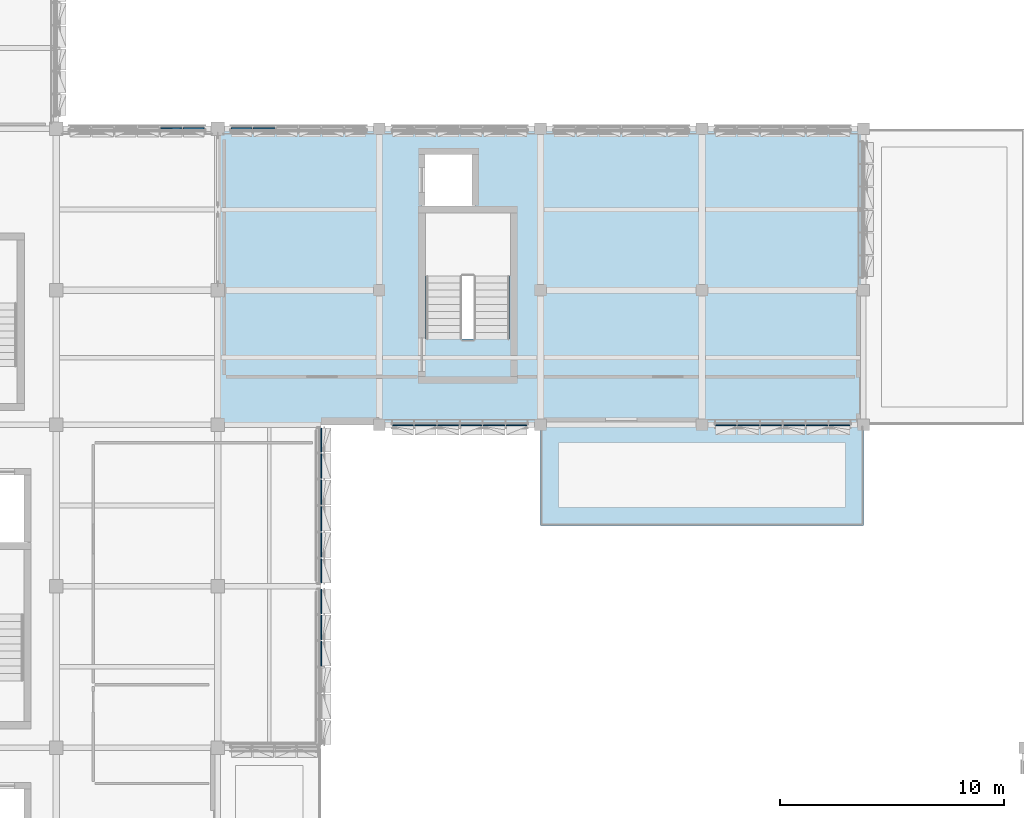
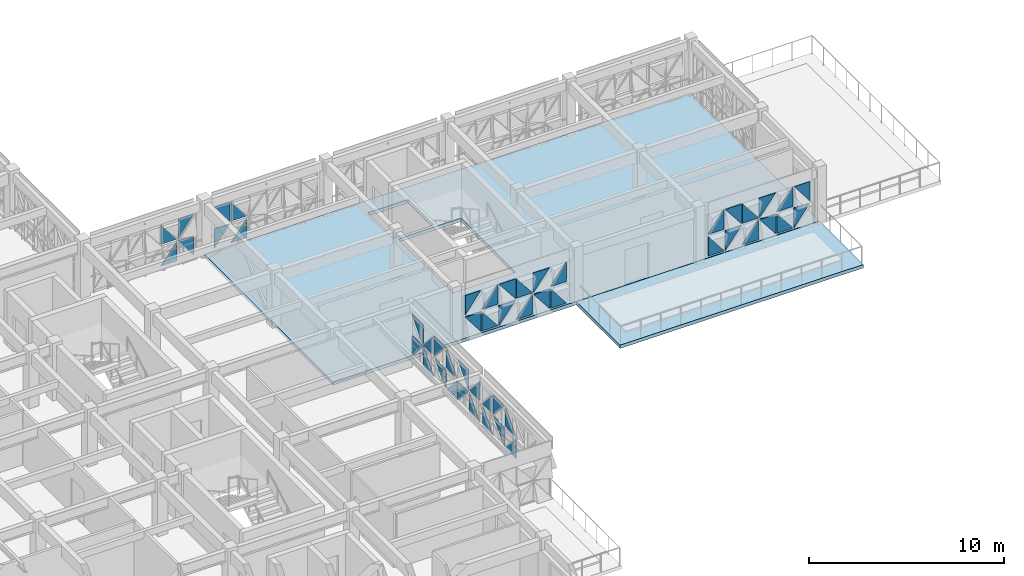
# One storey, part 28 of 74: 50 plates, 2 slabs, 6 elements without a shape of their own.
"""IFC4 building model written with IfcOpenShell, lengths in metres."""

from ifc_helpers import new_model, si_unit, direction, frame, origin, place, context, subcontext, project, spatial, polyline, outline, extrude, material, layer, layer_set, type_object, element, aggregate, save


model = new_model("IFC4")

# Units and contexts
model_context = context("Model", 3, precision=1e-05, world=origin(), true_north=direction((0.0, 1.0)))
body_context = subcontext(model_context, "Body", "Model", "MODEL_VIEW")
ifc_project = project(units=[si_unit("LENGTHUNIT", "METRE"), si_unit("AREAUNIT", "SQUARE_METRE"), si_unit("VOLUMEUNIT", "CUBIC_METRE"), si_unit("PLANEANGLEUNIT", "RADIAN"), si_unit("MASSUNIT", "GRAM", prefix="KILO")], contexts=[model_context])

# Site, building, storey
site_placement = place(None, origin())
site = spatial("IfcSite", under=ifc_project, at=site_placement, CompositionType="ELEMENT")
building_placement = place(site_placement, origin())
building = spatial("IfcBuilding", under=site, at=building_placement, Name="Alvorim Cloister Faculty of Sciences", CompositionType="ELEMENT")
storey_placement = place(building_placement, frame((0.0, 0.0, 15.75)))
storey = spatial("IfcBuildingStorey", under=building, at=storey_placement, Name="L04", CompositionType="ELEMENT", Elevation=15.75)

# Curtain wall, plates
ifc_material_1 = material(Name="Aluminium and Low-E Glass Curtain Wall", Category="aluminium")
curtain_wall_type_1 = type_object("IfcCurtainWallType", Name="CW-TRI-6120x2850", PredefinedType="USERDEFINED", material=ifc_material_1)
curtain_wall_1_placement = place(storey_placement, origin())
curtain_wall_1 = element("IfcCurtainWall", 1, at=curtain_wall_1_placement, inside=storey, type_object=curtain_wall_type_1, Name="L04 Diagonal Cassette Curtain Wall CW-0189", ObjectType="UNITISED CURTAIN WALL", PredefinedType="USERDEFINED")
ifc_material_2 = material(Name="Double Low-E Laminated Glass", Category="glass")
ifc_layer_1 = layer(ifc_material_2, 0.0400390625)
ifc_layer_set_1 = layer_set([ifc_layer_1], Name="Double Low-E Laminated Glass")
plate_type = type_object("IfcPlateType", Name="PN-GLZ-40", PredefinedType="CURTAIN_PANEL", material=ifc_layer_set_1)
plate_1_placement = place(storey_placement, frame((26.25244140625, 56.425048828125, 0.139892578125), z_axis=(0.0, 0.0, 1.0), x_axis=(1.0, 0.0, 0.0)))
plate_1 = element("IfcPlate", 2, at=plate_1_placement, type_object=plate_type, Name="Diagonal Glazed Triangle TRI-BR", PredefinedType="CURTAIN_PANEL", context=body_context, shape_type="SweptSolid", body=[
    extrude(outline(polyline([(0.001953125, 0.0), (0.955078125, 0.0), (0.955078125, 1.213134765625), (0.001953125, 0.0)])), frame((0.0, 0.02490234375, 0.0), z_axis=(0.0, -1.0, 0.0), x_axis=(1.0, 0.0, 0.0)), (0.0, 0.0, 1.0), 0.050048828125),
])
plate_2_placement = place(storey_placement, frame((26.25244140625, 56.425048828125, 1.4951171875), z_axis=(0.0, 0.0, 1.0), x_axis=(1.0, 0.0, 0.0)))
plate_2 = element("IfcPlate", 3, at=plate_2_placement, type_object=plate_type, Name="Diagonal Glazed Triangle TRI-BL", PredefinedType="CURTAIN_PANEL", context=body_context, shape_type="SweptSolid", body=[
    extrude(outline(polyline([(0.0, 0.0), (0.953125, 0.0), (0.0, 1.212890625), (0.0, 0.0)])), frame((0.0, 0.02490234375, 0.0), z_axis=(0.0, -1.0, 0.0), x_axis=(1.0, 0.0, 0.0)), (0.0, 0.0, 1.0), 0.050048828125),
])
plate_3_placement = place(storey_placement, frame((27.2724609375, 56.425048828125, 0.139892578125), z_axis=(0.0, 0.0, 1.0), x_axis=(1.0, 0.0, 0.0)))
plate_3 = element("IfcPlate", 4, at=plate_3_placement, type_object=plate_type, Name="Diagonal Glazed Triangle TRI-TR", PredefinedType="CURTAIN_PANEL", context=body_context, shape_type="SweptSolid", body=[
    extrude(outline(polyline([(0.922607421875, 0.001953125), (0.922607421875, 1.215087890625), (0.001953125, 1.215087890625), (0.922607421875, 0.001953125)])), frame((0.0, 0.02490234375, 0.0), z_axis=(0.0, -1.0, 0.0), x_axis=(1.0, 0.0, 0.0)), (0.0, 0.0, 1.0), 0.050048828125),
])
plate_4_placement = place(storey_placement, frame((27.2724609375, 56.425048828125, 1.4951171875), z_axis=(0.0, 0.0, 1.0), x_axis=(1.0, 0.0, 0.0)))
plate_4 = element("IfcPlate", 5, at=plate_4_placement, type_object=plate_type, Name="Diagonal Glazed Triangle TRI-TL", PredefinedType="CURTAIN_PANEL", context=body_context, shape_type="SweptSolid", body=[
    extrude(outline(polyline([(0.920654296875, 1.21484375), (0.0, 1.21484375), (0.0, 0.001953125), (0.920654296875, 1.21484375)])), frame((0.0, 0.02490234375, 0.0), z_axis=(0.0, -1.0, 0.0), x_axis=(1.0, 0.0, 0.0)), (0.0, 0.0, 1.0), 0.050048828125),
])
aggregate(curtain_wall_1, [plate_1, plate_2, plate_3, plate_4])

curtain_wall_2_placement = place(storey_placement, origin())
curtain_wall_2 = element("IfcCurtainWall", 6, at=curtain_wall_2_placement, inside=storey, type_object=curtain_wall_type_1, Name="L04 Diagonal Cassette Curtain Wall CW-0190", ObjectType="UNITISED CURTAIN WALL", PredefinedType="USERDEFINED")
plate_5_placement = place(storey_placement, frame((29.405029296875, 56.425048828125, 0.139892578125), z_axis=(0.0, 0.0, 1.0), x_axis=(1.0, 0.0, 0.0)))
plate_5 = element("IfcPlate", 7, at=plate_5_placement, type_object=plate_type, Name="Diagonal Glazed Triangle TRI-TL", PredefinedType="CURTAIN_PANEL", context=body_context, shape_type="SweptSolid", body=[
    extrude(outline(polyline([(0.920654296875, 1.215087890625), (0.0, 1.215087890625), (0.0, 0.001953125), (0.920654296875, 1.215087890625)])), frame((0.0, 0.02490234375, 0.0), z_axis=(0.0, -1.0, 0.0), x_axis=(1.0, 0.0, 0.0)), (0.0, 0.0, 1.0), 0.050048828125),
])
plate_6_placement = place(storey_placement, frame((29.405029296875, 56.425048828125, 1.4951171875), z_axis=(0.0, 0.0, 1.0), x_axis=(1.0, 0.0, 0.0)))
plate_6 = element("IfcPlate", 8, at=plate_6_placement, type_object=plate_type, Name="Diagonal Glazed Triangle TRI-TR", PredefinedType="CURTAIN_PANEL", context=body_context, shape_type="SweptSolid", body=[
    extrude(outline(polyline([(0.922607421875, 0.001953125), (0.922607421875, 1.21484375), (0.001953125, 1.21484375), (0.922607421875, 0.001953125)])), frame((0.0, 0.02490234375, 0.0), z_axis=(0.0, -1.0, 0.0), x_axis=(1.0, 0.0, 0.0)), (0.0, 0.0, 1.0), 0.050048828125),
])
plate_7_placement = place(storey_placement, frame((30.392578125, 56.425048828125, 0.139892578125), z_axis=(0.0, 0.0, 1.0), x_axis=(1.0, 0.0, 0.0)))
plate_7 = element("IfcPlate", 9, at=plate_7_placement, type_object=plate_type, Name="Diagonal Glazed Triangle TRI-BR", PredefinedType="CURTAIN_PANEL", context=body_context, shape_type="SweptSolid", body=[
    extrude(outline(polyline([(0.001953125, 0.0), (0.955078125, 0.0), (0.955078125, 1.213134765625), (0.001953125, 0.0)])), frame((0.0, 0.02490234375, 0.0), z_axis=(0.0, -1.0, 0.0), x_axis=(1.0, 0.0, 0.0)), (0.0, 0.0, 1.0), 0.050048828125),
])
plate_8_placement = place(storey_placement, frame((30.392578125, 56.425048828125, 1.4951171875), z_axis=(0.0, 0.0, 1.0), x_axis=(1.0, 0.0, 0.0)))
plate_8 = element("IfcPlate", 10, at=plate_8_placement, type_object=plate_type, Name="Diagonal Glazed Triangle TRI-BL", PredefinedType="CURTAIN_PANEL", context=body_context, shape_type="SweptSolid", body=[
    extrude(outline(polyline([(0.0, 0.0), (0.953125, 0.0), (0.0, 1.212890625), (0.0, 0.0)])), frame((0.0, 0.02490234375, 0.0), z_axis=(0.0, -1.0, 0.0), x_axis=(1.0, 0.0, 0.0)), (0.0, 0.0, 1.0), 0.050048828125),
])
aggregate(curtain_wall_2, [plate_5, plate_6, plate_7, plate_8])

curtain_wall_3_placement = place(storey_placement, origin())
curtain_wall_3 = element("IfcCurtainWall", 11, at=curtain_wall_3_placement, inside=storey, type_object=curtain_wall_type_1, Name="L04 Diagonal Cassette Curtain Wall CW-0195", ObjectType="UNITISED CURTAIN WALL", PredefinedType="USERDEFINED")
plate_9_placement = place(storey_placement, frame((51.0048828125, 43.175048828125, 0.139892578125), z_axis=(0.0, 0.0, 1.0), x_axis=(1.0, 0.0, 0.0)))
plate_9 = element("IfcPlate", 12, at=plate_9_placement, type_object=plate_type, Name="Diagonal Glazed Triangle TRI-BL", PredefinedType="CURTAIN_PANEL", context=body_context, shape_type="SweptSolid", body=[
    extrude(outline(polyline([(0.0, 0.0), (0.920654296875, 0.0), (0.0, 1.213134765625), (0.0, 0.0)])), frame((0.0, 0.02490234375, 0.0), z_axis=(0.0, -1.0, 0.0), x_axis=(1.0, 0.0, 0.0)), (0.0, 0.0, 1.0), 0.050048828125),
])
plate_10_placement = place(storey_placement, frame((51.0048828125, 43.175048828125, 1.4951171875), z_axis=(0.0, 0.0, 1.0), x_axis=(1.0, 0.0, 0.0)))
plate_10 = element("IfcPlate", 13, at=plate_10_placement, type_object=plate_type, Name="Diagonal Glazed Triangle TRI-BR", PredefinedType="CURTAIN_PANEL", context=body_context, shape_type="SweptSolid", body=[
    extrude(outline(polyline([(0.001953125, 0.0), (0.922607421875, 0.0), (0.922607421875, 1.212890625), (0.001953125, 0.0)])), frame((0.0, 0.02490234375, 0.0), z_axis=(0.0, -1.0, 0.0), x_axis=(1.0, 0.0, 0.0)), (0.0, 0.0, 1.0), 0.050048828125),
])
plate_11_placement = place(storey_placement, frame((51.992431640625, 43.175048828125, 0.139892578125), z_axis=(0.0, 0.0, 1.0), x_axis=(1.0, 0.0, 0.0)))
plate_11 = element("IfcPlate", 14, at=plate_11_placement, type_object=plate_type, Name="Diagonal Glazed Triangle TRI-TL", PredefinedType="CURTAIN_PANEL", context=body_context, shape_type="SweptSolid", body=[
    extrude(outline(polyline([(0.953125, 1.215087890625), (0.0, 1.215087890625), (0.0, 0.001953125), (0.953125, 1.215087890625)])), frame((0.0, 0.02490234375, 0.0), z_axis=(0.0, -1.0, 0.0), x_axis=(1.0, 0.0, 0.0)), (0.0, 0.0, 1.0), 0.050048828125),
])
plate_12_placement = place(storey_placement, frame((51.992431640625, 43.175048828125, 1.4951171875), z_axis=(0.0, 0.0, 1.0), x_axis=(1.0, 0.0, 0.0)))
plate_12 = element("IfcPlate", 15, at=plate_12_placement, type_object=plate_type, Name="Diagonal Glazed Triangle TRI-TR", PredefinedType="CURTAIN_PANEL", context=body_context, shape_type="SweptSolid", body=[
    extrude(outline(polyline([(0.955078125, 0.001953125), (0.955078125, 1.21484375), (0.001953125, 1.21484375), (0.955078125, 0.001953125)])), frame((0.0, 0.02490234375, 0.0), z_axis=(0.0, -1.0, 0.0), x_axis=(1.0, 0.0, 0.0)), (0.0, 0.0, 1.0), 0.050048828125),
])
plate_13_placement = place(storey_placement, frame((53.012451171875, 43.175048828125, 0.139892578125), z_axis=(0.0, 0.0, 1.0), x_axis=(1.0, 0.0, 0.0)))
plate_13 = element("IfcPlate", 16, at=plate_13_placement, type_object=plate_type, Name="Diagonal Glazed Triangle TRI-BR", PredefinedType="CURTAIN_PANEL", context=body_context, shape_type="SweptSolid", body=[
    extrude(outline(polyline([(0.001953125, 0.0), (0.955078125, 0.0), (0.955078125, 1.213134765625), (0.001953125, 0.0)])), frame((0.0, 0.02490234375, 0.0), z_axis=(0.0, -1.0, 0.0), x_axis=(1.0, 0.0, 0.0)), (0.0, 0.0, 1.0), 0.050048828125),
])
plate_14_placement = place(storey_placement, frame((53.012451171875, 43.175048828125, 1.4951171875), z_axis=(0.0, 0.0, 1.0), x_axis=(1.0, 0.0, 0.0)))
plate_14 = element("IfcPlate", 17, at=plate_14_placement, type_object=plate_type, Name="Diagonal Glazed Triangle TRI-BL", PredefinedType="CURTAIN_PANEL", context=body_context, shape_type="SweptSolid", body=[
    extrude(outline(polyline([(0.0, 0.0), (0.953125, 0.0), (0.0, 1.212890625), (0.0, 0.0)])), frame((0.0, 0.02490234375, 0.0), z_axis=(0.0, -1.0, 0.0), x_axis=(1.0, 0.0, 0.0)), (0.0, 0.0, 1.0), 0.050048828125),
])
plate_15_placement = place(storey_placement, frame((54.032470703125, 43.175048828125, 0.139892578125), z_axis=(0.0, 0.0, 1.0), x_axis=(1.0, 0.0, 0.0)))
plate_15 = element("IfcPlate", 18, at=plate_15_placement, type_object=plate_type, Name="Diagonal Glazed Triangle TRI-TR", PredefinedType="CURTAIN_PANEL", context=body_context, shape_type="SweptSolid", body=[
    extrude(outline(polyline([(0.955078125, 0.001953125), (0.955078125, 1.215087890625), (0.001953125, 1.215087890625), (0.955078125, 0.001953125)])), frame((0.0, 0.02490234375, 0.0), z_axis=(0.0, -1.0, 0.0), x_axis=(1.0, 0.0, 0.0)), (0.0, 0.0, 1.0), 0.050048828125),
])
plate_16_placement = place(storey_placement, frame((54.032470703125, 43.175048828125, 1.4951171875), z_axis=(0.0, 0.0, 1.0), x_axis=(1.0, 0.0, 0.0)))
plate_16 = element("IfcPlate", 19, at=plate_16_placement, type_object=plate_type, Name="Diagonal Glazed Triangle TRI-TL", PredefinedType="CURTAIN_PANEL", context=body_context, shape_type="SweptSolid", body=[
    extrude(outline(polyline([(0.953125, 1.21484375), (0.0, 1.21484375), (0.0, 0.001953125), (0.953125, 1.21484375)])), frame((0.0, 0.02490234375, 0.0), z_axis=(0.0, -1.0, 0.0), x_axis=(1.0, 0.0, 0.0)), (0.0, 0.0, 1.0), 0.050048828125),
])
plate_17_placement = place(storey_placement, frame((55.052490234375, 43.175048828125, 0.139892578125), z_axis=(0.0, 0.0, 1.0), x_axis=(1.0, 0.0, 0.0)))
plate_17 = element("IfcPlate", 20, at=plate_17_placement, type_object=plate_type, Name="Diagonal Glazed Triangle TRI-BL", PredefinedType="CURTAIN_PANEL", context=body_context, shape_type="SweptSolid", body=[
    extrude(outline(polyline([(0.0, 0.0), (0.953125, 0.0), (0.0, 1.213134765625), (0.0, 0.0)])), frame((0.0, 0.02490234375, 0.0), z_axis=(0.0, -1.0, 0.0), x_axis=(1.0, 0.0, 0.0)), (0.0, 0.0, 1.0), 0.050048828125),
])
plate_18_placement = place(storey_placement, frame((55.052490234375, 43.175048828125, 1.4951171875), z_axis=(0.0, 0.0, 1.0), x_axis=(1.0, 0.0, 0.0)))
plate_18 = element("IfcPlate", 21, at=plate_18_placement, type_object=plate_type, Name="Diagonal Glazed Triangle TRI-BR", PredefinedType="CURTAIN_PANEL", context=body_context, shape_type="SweptSolid", body=[
    extrude(outline(polyline([(0.001953125, 0.0), (0.955078125, 0.0), (0.955078125, 1.212890625), (0.001953125, 0.0)])), frame((0.0, 0.02490234375, 0.0), z_axis=(0.0, -1.0, 0.0), x_axis=(1.0, 0.0, 0.0)), (0.0, 0.0, 1.0), 0.050048828125),
])
plate_19_placement = place(storey_placement, frame((56.072509765625, 43.175048828125, 0.139892578125), z_axis=(0.0, 0.0, 1.0), x_axis=(1.0, 0.0, 0.0)))
plate_19 = element("IfcPlate", 22, at=plate_19_placement, type_object=plate_type, Name="Diagonal Glazed Triangle TRI-TL", PredefinedType="CURTAIN_PANEL", context=body_context, shape_type="SweptSolid", body=[
    extrude(outline(polyline([(0.920654296875, 1.215087890625), (0.0, 1.215087890625), (0.0, 0.001953125), (0.920654296875, 1.215087890625)])), frame((0.0, 0.02490234375, 0.0), z_axis=(0.0, -1.0, 0.0), x_axis=(1.0, 0.0, 0.0)), (0.0, 0.0, 1.0), 0.050048828125),
])
plate_20_placement = place(storey_placement, frame((56.072509765625, 43.175048828125, 1.4951171875), z_axis=(0.0, 0.0, 1.0), x_axis=(1.0, 0.0, 0.0)))
plate_20 = element("IfcPlate", 23, at=plate_20_placement, type_object=plate_type, Name="Diagonal Glazed Triangle TRI-TR", PredefinedType="CURTAIN_PANEL", context=body_context, shape_type="SweptSolid", body=[
    extrude(outline(polyline([(0.922607421875, 0.001953125), (0.922607421875, 1.21484375), (0.001953125, 1.21484375), (0.922607421875, 0.001953125)])), frame((0.0, 0.02490234375, 0.0), z_axis=(0.0, -1.0, 0.0), x_axis=(1.0, 0.0, 0.0)), (0.0, 0.0, 1.0), 0.050048828125),
])
aggregate(curtain_wall_3, [plate_9, plate_10, plate_11, plate_12, plate_13, plate_14, plate_15, plate_16, plate_17, plate_18, plate_19, plate_20])

curtain_wall_4_placement = place(storey_placement, origin())
curtain_wall_4 = element("IfcCurtainWall", 24, at=curtain_wall_4_placement, inside=storey, type_object=curtain_wall_type_1, Name="L04 Diagonal Cassette Curtain Wall CW-0196", ObjectType="UNITISED CURTAIN WALL", PredefinedType="USERDEFINED")
plate_21_placement = place(storey_placement, frame((36.60498046875, 43.175048828125, 0.139892578125), z_axis=(0.0, 0.0, 1.0), x_axis=(1.0, 0.0, 0.0)))
plate_21 = element("IfcPlate", 25, at=plate_21_placement, type_object=plate_type, Name="Diagonal Glazed Triangle TRI-TR", PredefinedType="CURTAIN_PANEL", context=body_context, shape_type="SweptSolid", body=[
    extrude(outline(polyline([(0.922607421875, 0.001953125), (0.922607421875, 1.215087890625), (0.001953125, 1.215087890625), (0.922607421875, 0.001953125)])), frame((0.0, 0.02490234375, 0.0), z_axis=(0.0, -1.0, 0.0), x_axis=(1.0, 0.0, 0.0)), (0.0, 0.0, 1.0), 0.050048828125),
])
plate_22_placement = place(storey_placement, frame((36.60498046875, 43.175048828125, 1.4951171875), z_axis=(0.0, 0.0, 1.0), x_axis=(1.0, 0.0, 0.0)))
plate_22 = element("IfcPlate", 26, at=plate_22_placement, type_object=plate_type, Name="Diagonal Glazed Triangle TRI-TL", PredefinedType="CURTAIN_PANEL", context=body_context, shape_type="SweptSolid", body=[
    extrude(outline(polyline([(0.920654296875, 1.21484375), (0.0, 1.21484375), (0.0, 0.001953125), (0.920654296875, 1.21484375)])), frame((0.0, 0.02490234375, 0.0), z_axis=(0.0, -1.0, 0.0), x_axis=(1.0, 0.0, 0.0)), (0.0, 0.0, 1.0), 0.050048828125),
])
plate_23_placement = place(storey_placement, frame((37.592529296875, 43.175048828125, 0.139892578125), z_axis=(0.0, 0.0, 1.0), x_axis=(1.0, 0.0, 0.0)))
plate_23 = element("IfcPlate", 27, at=plate_23_placement, type_object=plate_type, Name="Diagonal Glazed Triangle TRI-BL", PredefinedType="CURTAIN_PANEL", context=body_context, shape_type="SweptSolid", body=[
    extrude(outline(polyline([(0.0, 0.0), (0.953125, 0.0), (0.0, 1.213134765625), (0.0, 0.0)])), frame((0.0, 0.02490234375, 0.0), z_axis=(0.0, -1.0, 0.0), x_axis=(1.0, 0.0, 0.0)), (0.0, 0.0, 1.0), 0.050048828125),
])
plate_24_placement = place(storey_placement, frame((37.592529296875, 43.175048828125, 1.4951171875), z_axis=(0.0, 0.0, 1.0), x_axis=(1.0, 0.0, 0.0)))
plate_24 = element("IfcPlate", 28, at=plate_24_placement, type_object=plate_type, Name="Diagonal Glazed Triangle TRI-BR", PredefinedType="CURTAIN_PANEL", context=body_context, shape_type="SweptSolid", body=[
    extrude(outline(polyline([(0.001953125, 0.0), (0.955078125, 0.0), (0.955078125, 1.212890625), (0.001953125, 0.0)])), frame((0.0, 0.02490234375, 0.0), z_axis=(0.0, -1.0, 0.0), x_axis=(1.0, 0.0, 0.0)), (0.0, 0.0, 1.0), 0.050048828125),
])
plate_25_placement = place(storey_placement, frame((38.612548828125, 43.175048828125, 0.139892578125), z_axis=(0.0, 0.0, 1.0), x_axis=(1.0, 0.0, 0.0)))
plate_25 = element("IfcPlate", 29, at=plate_25_placement, type_object=plate_type, Name="Diagonal Glazed Triangle TRI-TL", PredefinedType="CURTAIN_PANEL", context=body_context, shape_type="SweptSolid", body=[
    extrude(outline(polyline([(0.953125, 1.215087890625), (0.0, 1.215087890625), (0.0, 0.001953125), (0.953125, 1.215087890625)])), frame((0.0, 0.02490234375, 0.0), z_axis=(0.0, -1.0, 0.0), x_axis=(1.0, 0.0, 0.0)), (0.0, 0.0, 1.0), 0.050048828125),
])
plate_26_placement = place(storey_placement, frame((38.612548828125, 43.175048828125, 1.4951171875), z_axis=(0.0, 0.0, 1.0), x_axis=(1.0, 0.0, 0.0)))
plate_26 = element("IfcPlate", 30, at=plate_26_placement, type_object=plate_type, Name="Diagonal Glazed Triangle TRI-TR", PredefinedType="CURTAIN_PANEL", context=body_context, shape_type="SweptSolid", body=[
    extrude(outline(polyline([(0.955078125, 0.001953125), (0.955078125, 1.21484375), (0.001953125, 1.21484375), (0.955078125, 0.001953125)])), frame((0.0, 0.02490234375, 0.0), z_axis=(0.0, -1.0, 0.0), x_axis=(1.0, 0.0, 0.0)), (0.0, 0.0, 1.0), 0.050048828125),
])
plate_27_placement = place(storey_placement, frame((39.632568359375, 43.175048828125, 0.139892578125), z_axis=(0.0, 0.0, 1.0), x_axis=(1.0, 0.0, 0.0)))
plate_27 = element("IfcPlate", 31, at=plate_27_placement, type_object=plate_type, Name="Diagonal Glazed Triangle TRI-BR", PredefinedType="CURTAIN_PANEL", context=body_context, shape_type="SweptSolid", body=[
    extrude(outline(polyline([(0.001953125, 0.0), (0.955078125, 0.0), (0.955078125, 1.213134765625), (0.001953125, 0.0)])), frame((0.0, 0.02490234375, 0.0), z_axis=(0.0, -1.0, 0.0), x_axis=(1.0, 0.0, 0.0)), (0.0, 0.0, 1.0), 0.050048828125),
])
plate_28_placement = place(storey_placement, frame((39.632568359375, 43.175048828125, 1.4951171875), z_axis=(0.0, 0.0, 1.0), x_axis=(1.0, 0.0, 0.0)))
plate_28 = element("IfcPlate", 32, at=plate_28_placement, type_object=plate_type, Name="Diagonal Glazed Triangle TRI-BL", PredefinedType="CURTAIN_PANEL", context=body_context, shape_type="SweptSolid", body=[
    extrude(outline(polyline([(0.0, 0.0), (0.953125, 0.0), (0.0, 1.212890625), (0.0, 0.0)])), frame((0.0, 0.02490234375, 0.0), z_axis=(0.0, -1.0, 0.0), x_axis=(1.0, 0.0, 0.0)), (0.0, 0.0, 1.0), 0.050048828125),
])
plate_29_placement = place(storey_placement, frame((40.652587890625, 43.175048828125, 0.139892578125), z_axis=(0.0, 0.0, 1.0), x_axis=(1.0, 0.0, 0.0)))
plate_29 = element("IfcPlate", 33, at=plate_29_placement, type_object=plate_type, Name="Diagonal Glazed Triangle TRI-TR", PredefinedType="CURTAIN_PANEL", context=body_context, shape_type="SweptSolid", body=[
    extrude(outline(polyline([(0.955078125, 0.001953125), (0.955078125, 1.215087890625), (0.001953125, 1.215087890625), (0.955078125, 0.001953125)])), frame((0.0, 0.02490234375, 0.0), z_axis=(0.0, -1.0, 0.0), x_axis=(1.0, 0.0, 0.0)), (0.0, 0.0, 1.0), 0.050048828125),
])
plate_30_placement = place(storey_placement, frame((40.652587890625, 43.175048828125, 1.4951171875), z_axis=(0.0, 0.0, 1.0), x_axis=(1.0, 0.0, 0.0)))
plate_30 = element("IfcPlate", 34, at=plate_30_placement, type_object=plate_type, Name="Diagonal Glazed Triangle TRI-TL", PredefinedType="CURTAIN_PANEL", context=body_context, shape_type="SweptSolid", body=[
    extrude(outline(polyline([(0.953125, 1.21484375), (0.0, 1.21484375), (0.0, 0.001953125), (0.953125, 1.21484375)])), frame((0.0, 0.02490234375, 0.0), z_axis=(0.0, -1.0, 0.0), x_axis=(1.0, 0.0, 0.0)), (0.0, 0.0, 1.0), 0.050048828125),
])
plate_31_placement = place(storey_placement, frame((41.672607421875, 43.175048828125, 0.139892578125), z_axis=(0.0, 0.0, 1.0), x_axis=(1.0, 0.0, 0.0)))
plate_31 = element("IfcPlate", 35, at=plate_31_placement, type_object=plate_type, Name="Diagonal Glazed Triangle TRI-BL", PredefinedType="CURTAIN_PANEL", context=body_context, shape_type="SweptSolid", body=[
    extrude(outline(polyline([(0.0, 0.0), (0.920654296875, 0.0), (0.0, 1.213134765625), (0.0, 0.0)])), frame((0.0, 0.02490234375, 0.0), z_axis=(0.0, -1.0, 0.0), x_axis=(1.0, 0.0, 0.0)), (0.0, 0.0, 1.0), 0.050048828125),
])
plate_32_placement = place(storey_placement, frame((41.672607421875, 43.175048828125, 1.4951171875), z_axis=(0.0, 0.0, 1.0), x_axis=(1.0, 0.0, 0.0)))
plate_32 = element("IfcPlate", 36, at=plate_32_placement, type_object=plate_type, Name="Diagonal Glazed Triangle TRI-BR", PredefinedType="CURTAIN_PANEL", context=body_context, shape_type="SweptSolid", body=[
    extrude(outline(polyline([(0.001953125, 0.0), (0.922607421875, 0.0), (0.922607421875, 1.212890625), (0.001953125, 0.0)])), frame((0.0, 0.02490234375, 0.0), z_axis=(0.0, -1.0, 0.0), x_axis=(1.0, 0.0, 0.0)), (0.0, 0.0, 1.0), 0.050048828125),
])
aggregate(curtain_wall_4, [plate_21, plate_22, plate_23, plate_24, plate_25, plate_26, plate_27, plate_28, plate_29, plate_30, plate_31, plate_32])

curtain_wall_type_2 = type_object("IfcCurtainWallType", Name="CW-TRI-7040x2857", PredefinedType="USERDEFINED", material=ifc_material_1)
curtain_wall_5_placement = place(storey_placement, origin())
curtain_wall_5 = element("IfcCurtainWall", 37, at=curtain_wall_5_placement, inside=storey, type_object=curtain_wall_type_2, Name="L04 Diagonal Cassette Curtain Wall CW-0197", ObjectType="UNITISED CURTAIN WALL", PredefinedType="USERDEFINED")
plate_33_placement = place(storey_placement, frame((33.425048828125, 36.14501953125, 0.139892578125), z_axis=(0.0, 0.0, 1.0), x_axis=(0.0, 1.0, 0.0)))
plate_33 = element("IfcPlate", 38, at=plate_33_placement, type_object=plate_type, Name="Diagonal Glazed Triangle TRI-BR", PredefinedType="CURTAIN_PANEL", context=body_context, shape_type="SweptSolid", body=[
    extrude(outline(polyline([(0.001953125, 0.0), (1.075927734375, 0.0), (1.075927734375, 1.216552734375), (0.001953125, 0.0)])), frame((0.0, 0.02490234375, 0.0), z_axis=(0.0, -1.0, 0.0), x_axis=(1.0, 0.0, 0.0)), (0.0, 0.0, 1.0), 0.050048828125),
])
plate_34_placement = place(storey_placement, frame((33.425048828125, 36.14501953125, 1.49853515625), z_axis=(0.0, 0.0, 1.0), x_axis=(0.0, 1.0, 0.0)))
plate_34 = element("IfcPlate", 39, at=plate_34_placement, type_object=plate_type, Name="Diagonal Glazed Triangle TRI-BL", PredefinedType="CURTAIN_PANEL", context=body_context, shape_type="SweptSolid", body=[
    extrude(outline(polyline([(0.0, 0.0), (1.073974609375, 0.0), (0.0, 1.216552734375), (0.0, 0.0)])), frame((0.0, 0.02490234375, 0.0), z_axis=(0.0, -1.0, 0.0), x_axis=(1.0, 0.0, 0.0)), (0.0, 0.0, 1.0), 0.050048828125),
])
plate_35_placement = place(storey_placement, frame((33.425048828125, 37.285888671875, 0.139892578125), z_axis=(0.0, 0.0, 1.0), x_axis=(0.0, 1.0, 0.0)))
plate_35 = element("IfcPlate", 40, at=plate_35_placement, type_object=plate_type, Name="Diagonal Glazed Triangle TRI-TR", PredefinedType="CURTAIN_PANEL", context=body_context, shape_type="SweptSolid", body=[
    extrude(outline(polyline([(1.1083984375, 0.001953125), (1.1083984375, 1.218505859375), (0.001953125, 1.218505859375), (1.1083984375, 0.001953125)])), frame((0.0, 0.02490234375, 0.0), z_axis=(0.0, -1.0, 0.0), x_axis=(1.0, 0.0, 0.0)), (0.0, 0.0, 1.0), 0.050048828125),
])
plate_36_placement = place(storey_placement, frame((33.425048828125, 37.285888671875, 1.49853515625), z_axis=(0.0, 0.0, 1.0), x_axis=(0.0, 1.0, 0.0)))
plate_36 = element("IfcPlate", 41, at=plate_36_placement, type_object=plate_type, Name="Diagonal Glazed Triangle TRI-TL", PredefinedType="CURTAIN_PANEL", context=body_context, shape_type="SweptSolid", body=[
    extrude(outline(polyline([(1.1064453125, 1.218505859375), (0.0, 1.218505859375), (0.0, 0.001953125), (1.1064453125, 1.218505859375)])), frame((0.0, 0.02490234375, 0.0), z_axis=(0.0, -1.0, 0.0), x_axis=(1.0, 0.0, 0.0)), (0.0, 0.0, 1.0), 0.050048828125),
])
plate_37_placement = place(storey_placement, frame((33.425048828125, 38.459228515625, 0.139892578125), z_axis=(0.0, 0.0, 1.0), x_axis=(0.0, 1.0, 0.0)))
plate_37 = element("IfcPlate", 42, at=plate_37_placement, type_object=plate_type, Name="Diagonal Glazed Triangle TRI-BL", PredefinedType="CURTAIN_PANEL", context=body_context, shape_type="SweptSolid", body=[
    extrude(outline(polyline([(0.0, 0.0), (1.1064453125, 0.0), (0.0, 1.216552734375), (0.0, 0.0)])), frame((0.0, 0.02490234375, 0.0), z_axis=(0.0, -1.0, 0.0), x_axis=(1.0, 0.0, 0.0)), (0.0, 0.0, 1.0), 0.050048828125),
])
plate_38_placement = place(storey_placement, frame((33.425048828125, 38.459228515625, 1.49853515625), z_axis=(0.0, 0.0, 1.0), x_axis=(0.0, 1.0, 0.0)))
plate_38 = element("IfcPlate", 43, at=plate_38_placement, type_object=plate_type, Name="Diagonal Glazed Triangle TRI-BR", PredefinedType="CURTAIN_PANEL", context=body_context, shape_type="SweptSolid", body=[
    extrude(outline(polyline([(0.001953125, 0.0), (1.1083984375, 0.0), (1.1083984375, 1.216552734375), (0.001953125, 0.0)])), frame((0.0, 0.02490234375, 0.0), z_axis=(0.0, -1.0, 0.0), x_axis=(1.0, 0.0, 0.0)), (0.0, 0.0, 1.0), 0.050048828125),
])
plate_39_placement = place(storey_placement, frame((33.425048828125, 39.632568359375, 0.139892578125), z_axis=(0.0, 0.0, 1.0), x_axis=(0.0, 1.0, 0.0)))
plate_39 = element("IfcPlate", 44, at=plate_39_placement, type_object=plate_type, Name="Diagonal Glazed Triangle TRI-TL", PredefinedType="CURTAIN_PANEL", context=body_context, shape_type="SweptSolid", body=[
    extrude(outline(polyline([(1.1064453125, 1.218505859375), (0.0, 1.218505859375), (0.0, 0.001953125), (1.1064453125, 1.218505859375)])), frame((0.0, 0.02490234375, 0.0), z_axis=(0.0, -1.0, 0.0), x_axis=(1.0, 0.0, 0.0)), (0.0, 0.0, 1.0), 0.050048828125),
])
plate_40_placement = place(storey_placement, frame((33.425048828125, 39.632568359375, 1.49853515625), z_axis=(0.0, 0.0, 1.0), x_axis=(0.0, 1.0, 0.0)))
plate_40 = element("IfcPlate", 45, at=plate_40_placement, type_object=plate_type, Name="Diagonal Glazed Triangle TRI-TR", PredefinedType="CURTAIN_PANEL", context=body_context, shape_type="SweptSolid", body=[
    extrude(outline(polyline([(1.1083984375, 0.001953125), (1.1083984375, 1.218505859375), (0.001953125, 1.218505859375), (1.1083984375, 0.001953125)])), frame((0.0, 0.02490234375, 0.0), z_axis=(0.0, -1.0, 0.0), x_axis=(1.0, 0.0, 0.0)), (0.0, 0.0, 1.0), 0.050048828125),
])
plate_41_placement = place(storey_placement, frame((33.425048828125, 40.805908203125, 0.139892578125), z_axis=(0.0, 0.0, 1.0), x_axis=(0.0, 1.0, 0.0)))
plate_41 = element("IfcPlate", 46, at=plate_41_placement, type_object=plate_type, Name="Diagonal Glazed Triangle TRI-BR", PredefinedType="CURTAIN_PANEL", context=body_context, shape_type="SweptSolid", body=[
    extrude(outline(polyline([(0.001953125, 0.0), (1.1083984375, 0.0), (1.1083984375, 1.216552734375), (0.001953125, 0.0)])), frame((0.0, 0.02490234375, 0.0), z_axis=(0.0, -1.0, 0.0), x_axis=(1.0, 0.0, 0.0)), (0.0, 0.0, 1.0), 0.050048828125),
])
plate_42_placement = place(storey_placement, frame((33.425048828125, 40.805908203125, 1.49853515625), z_axis=(0.0, 0.0, 1.0), x_axis=(0.0, 1.0, 0.0)))
plate_42 = element("IfcPlate", 47, at=plate_42_placement, type_object=plate_type, Name="Diagonal Glazed Triangle TRI-BL", PredefinedType="CURTAIN_PANEL", context=body_context, shape_type="SweptSolid", body=[
    extrude(outline(polyline([(0.0, 0.0), (1.1064453125, 0.0), (0.0, 1.216552734375), (0.0, 0.0)])), frame((0.0, 0.02490234375, 0.0), z_axis=(0.0, -1.0, 0.0), x_axis=(1.0, 0.0, 0.0)), (0.0, 0.0, 1.0), 0.050048828125),
])
plate_43_placement = place(storey_placement, frame((33.425048828125, 41.979248046875, 0.139892578125), z_axis=(0.0, 0.0, 1.0), x_axis=(0.0, 1.0, 0.0)))
plate_43 = element("IfcPlate", 48, at=plate_43_placement, type_object=plate_type, Name="Diagonal Glazed Triangle TRI-TR", PredefinedType="CURTAIN_PANEL", context=body_context, shape_type="SweptSolid", body=[
    extrude(outline(polyline([(1.075927734375, 0.001953125), (1.075927734375, 1.218505859375), (0.001953125, 1.218505859375), (1.075927734375, 0.001953125)])), frame((0.0, 0.02490234375, 0.0), z_axis=(0.0, -1.0, 0.0), x_axis=(1.0, 0.0, 0.0)), (0.0, 0.0, 1.0), 0.050048828125),
])
plate_44_placement = place(storey_placement, frame((33.425048828125, 41.979248046875, 1.49853515625), z_axis=(0.0, 0.0, 1.0), x_axis=(0.0, 1.0, 0.0)))
plate_44 = element("IfcPlate", 49, at=plate_44_placement, type_object=plate_type, Name="Diagonal Glazed Triangle TRI-TL", PredefinedType="CURTAIN_PANEL", context=body_context, shape_type="SweptSolid", body=[
    extrude(outline(polyline([(1.073974609375, 1.218505859375), (0.0, 1.218505859375), (0.0, 0.001953125), (1.073974609375, 1.218505859375)])), frame((0.0, 0.02490234375, 0.0), z_axis=(0.0, -1.0, 0.0), x_axis=(1.0, 0.0, 0.0)), (0.0, 0.0, 1.0), 0.050048828125),
])
aggregate(curtain_wall_5, [plate_33, plate_34, plate_35, plate_36, plate_37, plate_38, plate_39, plate_40, plate_41, plate_42, plate_43, plate_44])

curtain_wall_6_placement = place(storey_placement, origin())
curtain_wall_6 = element("IfcCurtainWall", 50, at=curtain_wall_6_placement, inside=storey, type_object=curtain_wall_type_2, Name="L04 Diagonal Cassette Curtain Wall CW-0198", ObjectType="UNITISED CURTAIN WALL", PredefinedType="USERDEFINED")
plate_45_placement = place(storey_placement, frame((33.425048828125, 32.4326171875, 0.139892578125), z_axis=(0.0, 0.0, 1.0), x_axis=(0.0, 1.0, 0.0)))
plate_45 = element("IfcPlate", 51, at=plate_45_placement, type_object=plate_type, Name="Diagonal Glazed Triangle TRI-BL", PredefinedType="CURTAIN_PANEL", context=body_context, shape_type="SweptSolid", body=[
    extrude(outline(polyline([(0.0, 0.0), (1.1064453125, 0.0), (0.0, 1.216552734375), (0.0, 0.0)])), frame((0.0, 0.02490234375, 0.0), z_axis=(0.0, -1.0, 0.0), x_axis=(1.0, 0.0, 0.0)), (0.0, 0.0, 1.0), 0.050048828125),
])
plate_46_placement = place(storey_placement, frame((33.425048828125, 32.4326171875, 1.49853515625), z_axis=(0.0, 0.0, 1.0), x_axis=(0.0, 1.0, 0.0)))
plate_46 = element("IfcPlate", 52, at=plate_46_placement, type_object=plate_type, Name="Diagonal Glazed Triangle TRI-BR", PredefinedType="CURTAIN_PANEL", context=body_context, shape_type="SweptSolid", body=[
    extrude(outline(polyline([(0.001953125, 0.0), (1.1083984375, 0.0), (1.1083984375, 1.216552734375), (0.001953125, 0.0)])), frame((0.0, 0.02490234375, 0.0), z_axis=(0.0, -1.0, 0.0), x_axis=(1.0, 0.0, 0.0)), (0.0, 0.0, 1.0), 0.050048828125),
])
plate_47_placement = place(storey_placement, frame((33.425048828125, 33.605712890625, 0.139892578125), z_axis=(0.0, 0.0, 1.0), x_axis=(0.0, 1.0, 0.0)))
plate_47 = element("IfcPlate", 53, at=plate_47_placement, type_object=plate_type, Name="Diagonal Glazed Triangle TRI-TL", PredefinedType="CURTAIN_PANEL", context=body_context, shape_type="SweptSolid", body=[
    extrude(outline(polyline([(1.1064453125, 1.218505859375), (0.0, 1.218505859375), (0.0, 0.001953125), (1.1064453125, 1.218505859375)])), frame((0.0, 0.02490234375, 0.0), z_axis=(0.0, -1.0, 0.0), x_axis=(1.0, 0.0, 0.0)), (0.0, 0.0, 1.0), 0.050048828125),
])
plate_48_placement = place(storey_placement, frame((33.425048828125, 33.605712890625, 1.49853515625), z_axis=(0.0, 0.0, 1.0), x_axis=(0.0, 1.0, 0.0)))
plate_48 = element("IfcPlate", 54, at=plate_48_placement, type_object=plate_type, Name="Diagonal Glazed Triangle TRI-TR", PredefinedType="CURTAIN_PANEL", context=body_context, shape_type="SweptSolid", body=[
    extrude(outline(polyline([(1.1083984375, 0.001953125), (1.1083984375, 1.218505859375), (0.001953125, 1.218505859375), (1.1083984375, 0.001953125)])), frame((0.0, 0.02490234375, 0.0), z_axis=(0.0, -1.0, 0.0), x_axis=(1.0, 0.0, 0.0)), (0.0, 0.0, 1.0), 0.050048828125),
])
plate_49_placement = place(storey_placement, frame((33.425048828125, 34.779052734375, 0.139892578125), z_axis=(0.0, 0.0, 1.0), x_axis=(0.0, 1.0, 0.0)))
plate_49 = element("IfcPlate", 55, at=plate_49_placement, type_object=plate_type, Name="Diagonal Glazed Triangle TRI-BR", PredefinedType="CURTAIN_PANEL", context=body_context, shape_type="SweptSolid", body=[
    extrude(outline(polyline([(0.001953125, 0.0), (1.075927734375, 0.0), (1.075927734375, 1.216552734375), (0.001953125, 0.0)])), frame((0.0, 0.02490234375, 0.0), z_axis=(0.0, -1.0, 0.0), x_axis=(1.0, 0.0, 0.0)), (0.0, 0.0, 1.0), 0.050048828125),
])
plate_50_placement = place(storey_placement, frame((33.425048828125, 34.779052734375, 1.49853515625), z_axis=(0.0, 0.0, 1.0), x_axis=(0.0, 1.0, 0.0)))
plate_50 = element("IfcPlate", 56, at=plate_50_placement, type_object=plate_type, Name="Diagonal Glazed Triangle TRI-BL", PredefinedType="CURTAIN_PANEL", context=body_context, shape_type="SweptSolid", body=[
    extrude(outline(polyline([(0.0, 0.0), (1.073974609375, 0.0), (0.0, 1.216552734375), (0.0, 0.0)])), frame((0.0, 0.02490234375, 0.0), z_axis=(0.0, -1.0, 0.0), x_axis=(1.0, 0.0, 0.0)), (0.0, 0.0, 1.0), 0.050048828125),
])
aggregate(curtain_wall_6, [plate_45, plate_46, plate_47, plate_48, plate_49, plate_50])

# Slabs
ifc_material_3 = material(Name="Cross-Laminated Timber CLT C24", Category="wood")
ifc_layer_2 = layer(ifc_material_3, 0.2099609375)
ifc_layer_set_2 = layer_set([ifc_layer_2], Name="Cross-Laminated Timber CLT C24")
slab_type_1 = type_object("IfcSlabType", Name="SL-CLT-210", PredefinedType="FLOOR", material=ifc_layer_set_2)
slab_1_placement = place(storey_placement, frame((0.0, 0.0, -0.2099609375)))
element("IfcSlab", 57, at=slab_1_placement, inside=storey, type_object=slab_type_1, Name="L04 V4 Structural Slab 29", PredefinedType="FLOOR", context=body_context, shape_type="SweptSolid", body=[
    extrude(outline(polyline([(28.804931640625, 43.205078125), (28.804931640625, 56.39501953125), (57.594970703125, 56.39501953125), (57.594970703125, 43.205078125), (28.804931640625, 43.205078125)]), holes=[polyline([(41.820068359375, 52.60009765625), (38.10009765625, 52.60009765625), (38.10009765625, 47.030029296875), (41.820068359375, 47.030029296875), (41.820068359375, 52.60009765625)]), polyline([(40.300048828125, 55.39990234375), (37.89990234375, 55.39990234375), (37.89990234375, 52.800048828125), (40.300048828125, 52.800048828125), (40.300048828125, 55.39990234375)])]), origin(), (0.0, 0.0, 1.0), 0.2099609375),
])
ifc_layer_3 = layer(ifc_material_3, 0.2099609375)
ifc_layer_set_3 = layer_set([ifc_layer_3], Name="Cross-Laminated Timber CLT C24")
slab_type_2 = type_object("IfcSlabType", Name="SL-TER-210", PredefinedType="USERDEFINED", material=ifc_layer_set_3)
slab_2_placement = place(storey_placement, frame((0.0, 0.0, -0.2099609375)))
element("IfcSlab", 58, at=slab_2_placement, inside=storey, type_object=slab_type_2, Name="L04 North Cloister Cantilever Overlook Deck", ObjectType="TERRACE DECK", PredefinedType="USERDEFINED", context=body_context, shape_type="SweptSolid", body=[
    extrude(outline(polyline([(57.60009765625, 38.699951171875), (43.199951171875, 38.699951171875), (43.199951171875, 43.18505859375), (57.60009765625, 43.18505859375), (57.60009765625, 38.699951171875)])), origin(), (0.0, 0.0, 1.0), 0.2099609375),
])

save(model, "model.ifc")
